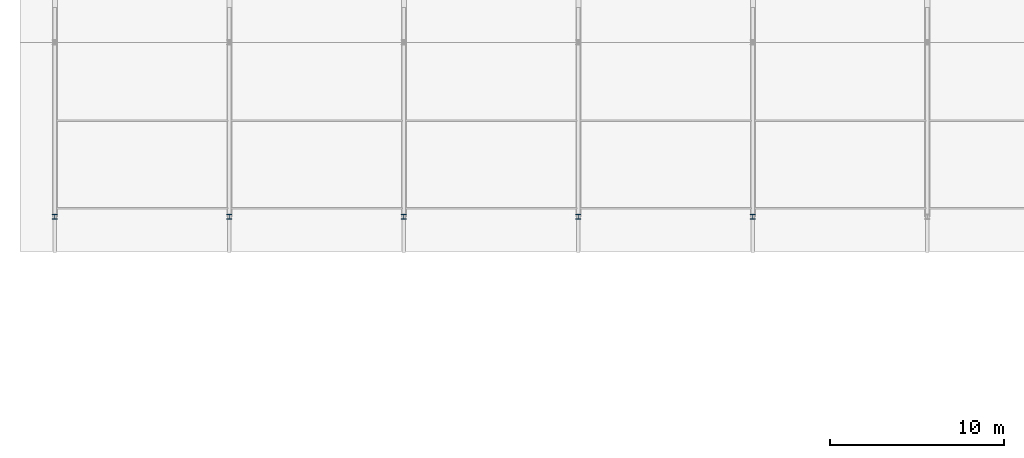
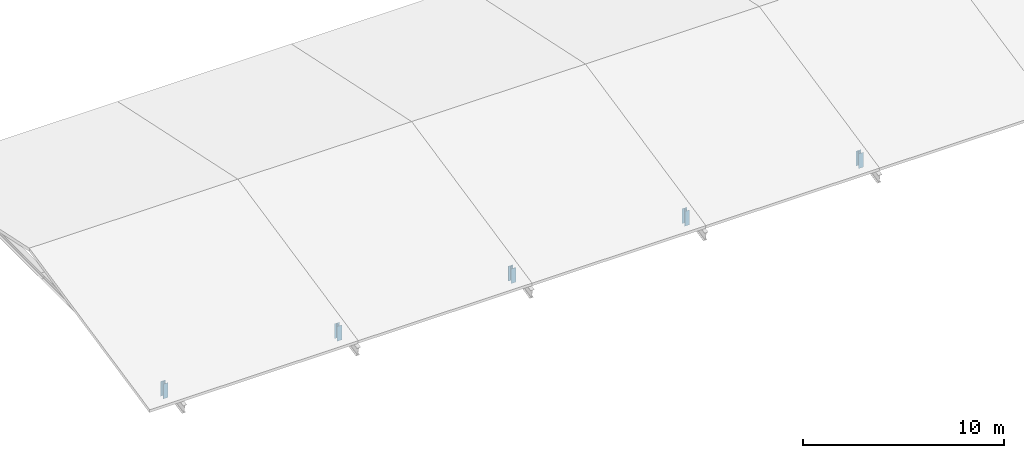
# One storey, part 5 of 10: 5 members.
"""IFC4 building model written with IfcOpenShell, lengths in metres."""

from ifc_helpers import new_model, si_unit, direction, frame, origin, origin_2d, place, context, subcontext, project, spatial, i_section, extrude, material, material_profile, profile_set, type_object, element, save


model = new_model("IFC4")

# Units and contexts
model_context = context("Model", 3, precision=1e-05, world=origin(), true_north=direction((0.0, 1.0)))
body_context = subcontext(model_context, "Body", "Model", "MODEL_VIEW")
ifc_project = project(units=[si_unit("LENGTHUNIT", "METRE"), si_unit("AREAUNIT", "SQUARE_METRE"), si_unit("VOLUMEUNIT", "CUBIC_METRE"), si_unit("PLANEANGLEUNIT", "RADIAN"), si_unit("MASSUNIT", "GRAM", prefix="KILO")], contexts=[model_context])

# Site, building, storey
site_placement = place(None, origin())
site = spatial("IfcSite", under=ifc_project, at=site_placement, CompositionType="ELEMENT")
building_placement = place(site_placement, origin())
building = spatial("IfcBuilding", under=site, at=building_placement, Name="Kivolera Central Railway Station", CompositionType="ELEMENT")
storey_placement = place(building_placement, frame((0.0, 0.0, 31.199951171875)))
storey = spatial("IfcBuildingStorey", under=building, at=storey_placement, Name="Roof", CompositionType="ELEMENT", Elevation=31.199951171875)

# Members
ifc_material = material(Name="Steel S355", Category="steel")
ifc_material_profile = material_profile(ifc_material, i_section(OverallWidth=0.280029296875, OverallDepth=0.280029296875, WebThickness=0.010498046875, FlangeThickness=0.01806640625, FilletRadius=0.02392578125, at=origin_2d()), Name="HEB 280")
ifc_profile_set = profile_set([ifc_material_profile], Name="Steel S355")
member_type = type_object("IfcMemberType", Name="MEM-RAF-HEB280", PredefinedType="STRUT", material=ifc_profile_set)
for number, where, z_axis, x_axis, name in (
    (1, (118.0, 114.0, -0.02001953125), (0.0, 0.0, 1.0), (1.0, 0.0, 0.0), "Roof Monsoon Truss Post 1-K"),
    (2, (128.0, 114.0, -0.02001953125), (0.0, 0.0, 1.0), (1.0, 0.0, 0.0), "Roof Monsoon Truss Post 2-K"),
    (3, (138.0, 114.0, -0.02001953125), (0.0, 0.0, 1.0), (1.0, 0.0, 0.0), "Roof Monsoon Truss Post 3-K"),
    (4, (148.0, 114.0, -0.02001953125), (0.0, 0.0, 1.0), (1.0, 0.0, 0.0), "Roof Monsoon Truss Post 4-K"),
    (5, (158.0, 114.0, -0.02001953125), (0.0, 0.0, 1.0), (1.0, 0.0, 0.0), "Roof Monsoon Truss Post 5-K"),
):
    element("IfcMember", number, at=place(storey_placement, frame(where, z_axis=z_axis, x_axis=x_axis)), inside=storey, type_object=member_type, Name=name, PredefinedType="STRUT", context=body_context, shape_type="SweptSolid", body=[
        extrude(i_section(OverallWidth=0.280029296875, OverallDepth=0.280029296875, WebThickness=0.010498046875, FlangeThickness=0.01806640625, FilletRadius=0.02392578125, at=origin_2d()), origin(), (0.0, 0.0, 1.0), 0.900146484375),
    ])

save(model, "model.ifc")
